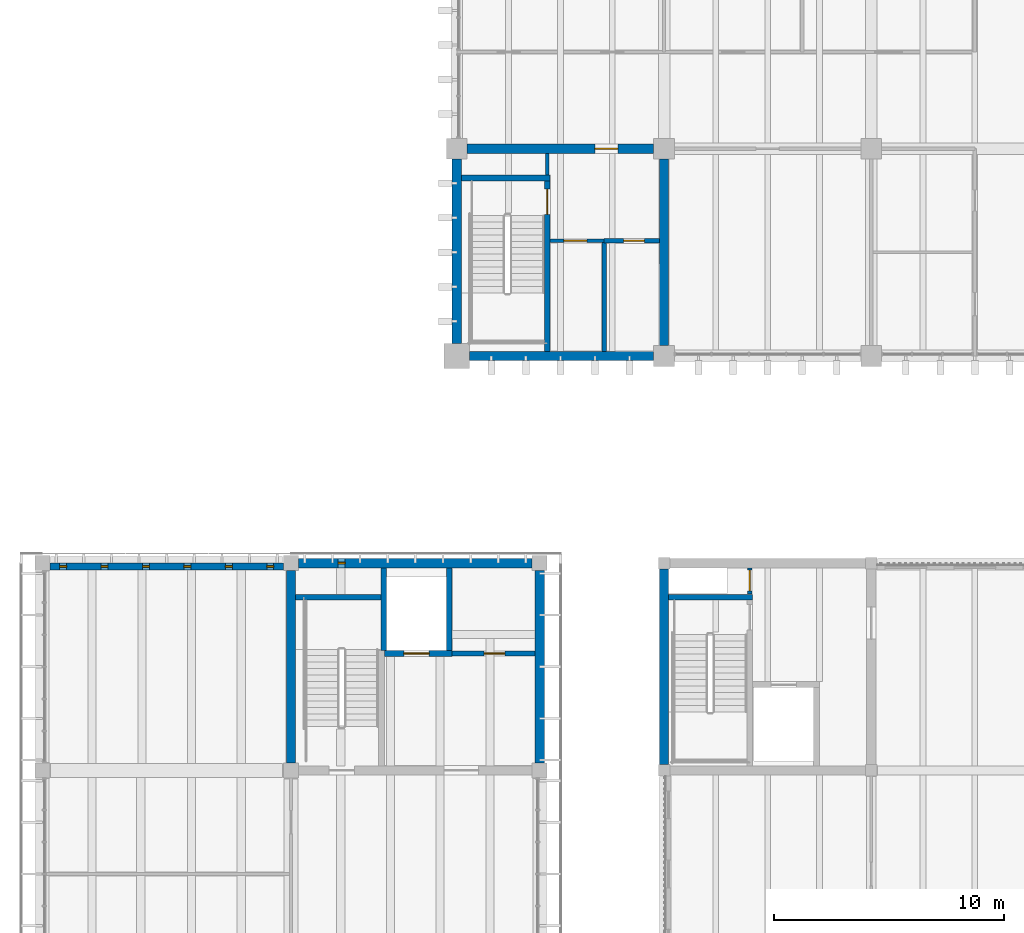
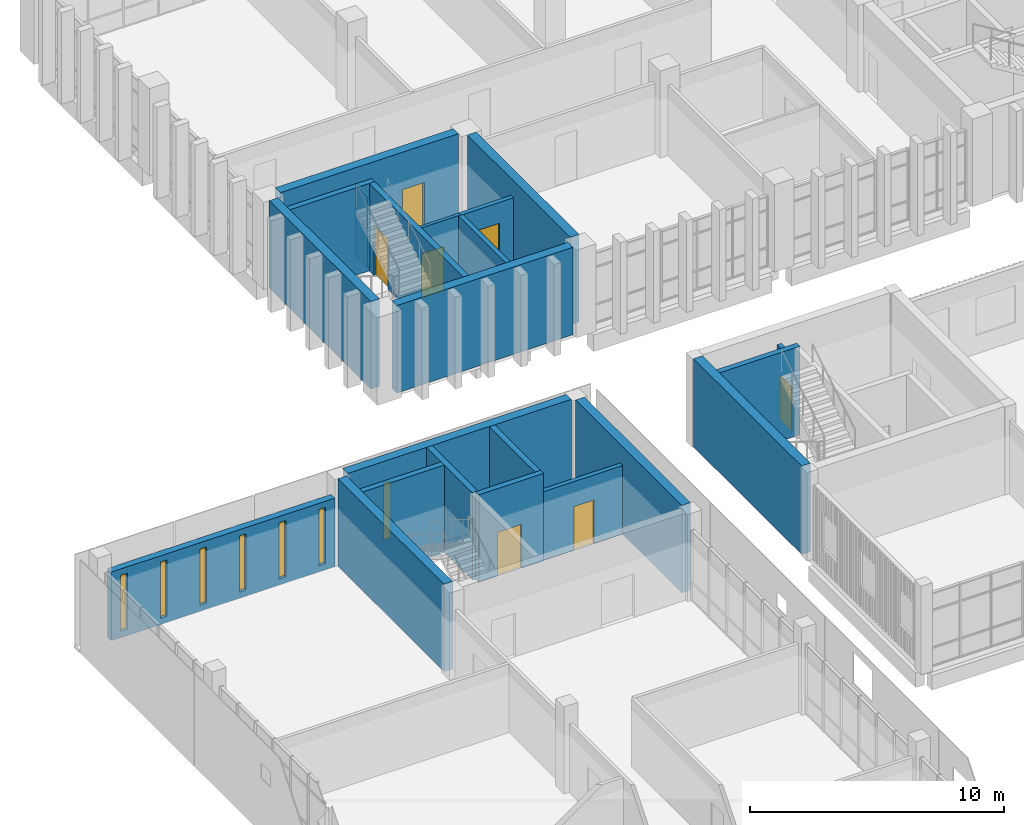
# One storey, part 57 of 92: 22 walls, 7 doors, 7 windows, 14 openings.
"""IFC4 building model written with IfcOpenShell, lengths in metres."""

from ifc_helpers import new_model, si_unit, direction, frame, frame_2d, origin, place, context, subcontext, project, spatial, rectangle, extrude, material, layer, layer_set, type_object, element, fill, save


model = new_model("IFC4")

# Units and contexts
model_context = context("Model", 3, precision=1e-05, world=origin(), true_north=direction((0.0, 1.0)))
body_context = subcontext(model_context, "Body", "Model", "MODEL_VIEW")
ifc_project = project(units=[si_unit("LENGTHUNIT", "METRE"), si_unit("AREAUNIT", "SQUARE_METRE"), si_unit("VOLUMEUNIT", "CUBIC_METRE"), si_unit("PLANEANGLEUNIT", "RADIAN"), si_unit("MASSUNIT", "GRAM", prefix="KILO")], contexts=[model_context])

# Site, building, storey
site_placement = place(None, origin())
site = spatial("IfcSite", under=ifc_project, at=site_placement, CompositionType="ELEMENT")
building_placement = place(site_placement, origin())
building = spatial("IfcBuilding", under=site, at=building_placement, Name="Merrow Basin Faculty of Sciences", CompositionType="ELEMENT")
storey_placement = place(building_placement, frame((0.0, 0.0, 4.5)))
storey = spatial("IfcBuildingStorey", under=building, at=storey_placement, Name="L01", CompositionType="ELEMENT", Elevation=4.5)

# Wall
ifc_material_1 = material(Name="Fire-rated gypsum board")
ifc_layer_1 = layer(ifc_material_1, 0.14990234375)
ifc_layer_set_1 = layer_set([ifc_layer_1], Name="Corridor partition 150 fire-rated board on steel studs")
wall_type_1 = type_object("IfcWallType", Name="Corridor partition 150 fire-rated board on steel studs", PredefinedType="PARTITIONING", material=ifc_layer_set_1)
wall_1_placement = place(storey_placement, frame((21.925048828125, 149.85009765625, 0.0), z_axis=(0.0, 0.0, 1.0), x_axis=(0.0, 1.0, 0.0)))
element("IfcWall", 1, at=wall_1_placement, inside=storey, type_object=wall_type_1, Name="IW151 L01 003", PredefinedType="PARTITIONING", context=body_context, shape_type="SweptSolid", body=[
    extrude(rectangle(XDim=0.949951171875, YDim=0.14990234375, at=frame_2d((0.47509765625, 0.0))), origin(), (0.0, 0.0, 1.0), 3.39990234375),
])

# Wall, opening, door
wall_2_placement = place(storey_placement, frame((22.050048828125, 147.0, 0.0), z_axis=(0.0, 0.0, 1.0), x_axis=(1.0, 0.0, 0.0)))
wall_2 = element("IfcWall", 2, at=wall_2_placement, inside=storey, type_object=wall_type_1, Name="IW151 L01 005", PredefinedType="PARTITIONING", context=body_context, shape_type="SweptSolid", body=[
    extrude(rectangle(XDim=2.349853515625, YDim=0.14990234375, at=frame_2d((1.1748046875, 0.0))), origin(), (0.0, 0.0, 1.0), 3.39990234375),
])
opening_1_placement = place(wall_2_placement, frame((0.60009765625, 0.0, 0.0)))
opening_1 = element("IfcOpeningElement", 3, at=opening_1_placement, cuts=wall_2, Name="Opening D01T006", PredefinedType="OPENING", context=body_context, shape_type="SweptSolid", body=[
    extrude(rectangle(XDim=1.0, YDim=2.10009765625, at=frame_2d((0.5, 1.050048828125))), frame((0.0, 0.0849609375, 0.0), z_axis=(0.0, -1.0, 0.0), x_axis=(1.0, 0.0, 0.0)), (0.0, 0.0, 1.0), 0.169921875),
])
ifc_material_2 = material(Name="Timber door leaf", Category="wood")
door_type_1 = type_object("IfcDoorType", Name="Accessible door 1000 x 2100", OperationType="NOTDEFINED", PredefinedType="DOOR", material=ifc_material_2)
door_1_placement = place(opening_1_placement, origin())
door_1 = element("IfcDoor", 4, at=door_1_placement, inside=storey, type_object=door_type_1, Name="Door D01T006", OperationType="SINGLE_SWING_LEFT", OverallHeight=2.10009765625, OverallWidth=1.0, PredefinedType="DOOR", context=body_context, shape_type="SweptSolid", body=[
    extrude(rectangle(XDim=1.0, YDim=2.10009765625, at=frame_2d((0.5, 1.050048828125))), frame((0.0, 0.02490234375, 0.0), z_axis=(0.0, -1.0, 0.0), x_axis=(1.0, 0.0, 0.0)), (0.0, 0.0, 1.0), 0.050048828125),
])
fill(opening_1, door_1)

# Wall, openings, windows
ifc_material_3 = material(Name="Precast concrete C40/50", Category="concrete")
ifc_layer_2 = layer(ifc_material_3, 0.300048828125)
ifc_layer_set_2 = layer_set([ifc_layer_2], Name="End wall 300 Precast concrete C40/50")
wall_type_2 = type_object("IfcWallType", Name="End wall 300 Precast concrete C40/50", PredefinedType="STANDARD", material=ifc_layer_set_2)
wall_3_placement = place(storey_placement, frame((10.47509765625, 132.85009765625, 0.0), z_axis=(0.0, 0.0, 1.0), x_axis=(-1.0, 0.0, 0.0)))
wall_3 = element("IfcWall", 5, at=wall_3_placement, inside=storey, type_object=wall_type_2, Name="North end wall 1", PredefinedType="STANDARD", context=body_context, shape_type="SweptSolid", body=[
    extrude(rectangle(XDim=10.150146484375, YDim=0.300048828125, at=frame_2d((5.0751953125, 0.0))), origin(), (0.0, 0.0, 1.0), 3.300048828125),
])
opening_2_placement = place(wall_3_placement, frame((9.425048828125, 0.0, 0.300048828125)))
opening_2 = element("IfcOpeningElement", 6, at=opening_2_placement, cuts=wall_3, Name="Opening WN1", PredefinedType="OPENING", context=body_context, shape_type="SweptSolid", body=[
    extrude(rectangle(XDim=0.300048828125, YDim=2.699951171875, at=frame_2d((0.14990234375, 1.35009765625))), frame((0.0, 0.159912109375, 0.0), z_axis=(0.0, -1.0, 0.0), x_axis=(1.0, 0.0, 0.0)), (0.0, 0.0, 1.0), 0.320068359375),
])
opening_3_placement = place(wall_3_placement, frame((7.625, 0.0, 0.300048828125)))
opening_3 = element("IfcOpeningElement", 7, at=opening_3_placement, cuts=wall_3, Name="Opening WN1", PredefinedType="OPENING", context=body_context, shape_type="SweptSolid", body=[
    extrude(rectangle(XDim=0.300048828125, YDim=2.699951171875, at=frame_2d((0.14990234375, 1.35009765625))), frame((0.0, 0.159912109375, 0.0), z_axis=(0.0, -1.0, 0.0), x_axis=(1.0, 0.0, 0.0)), (0.0, 0.0, 1.0), 0.320068359375),
])
opening_4_placement = place(wall_3_placement, frame((5.824951171875, 0.0, 0.300048828125)))
opening_4 = element("IfcOpeningElement", 8, at=opening_4_placement, cuts=wall_3, Name="Opening WN1", PredefinedType="OPENING", context=body_context, shape_type="SweptSolid", body=[
    extrude(rectangle(XDim=0.300048828125, YDim=2.699951171875, at=frame_2d((0.14990234375, 1.35009765625))), frame((0.0, 0.159912109375, 0.0), z_axis=(0.0, -1.0, 0.0), x_axis=(1.0, 0.0, 0.0)), (0.0, 0.0, 1.0), 0.320068359375),
])
opening_5_placement = place(wall_3_placement, frame((4.02490234375, 0.0, 0.300048828125)))
opening_5 = element("IfcOpeningElement", 9, at=opening_5_placement, cuts=wall_3, Name="Opening WN1", PredefinedType="OPENING", context=body_context, shape_type="SweptSolid", body=[
    extrude(rectangle(XDim=0.300048828125, YDim=2.699951171875, at=frame_2d((0.14990234375, 1.35009765625))), frame((0.0, 0.159912109375, 0.0), z_axis=(0.0, -1.0, 0.0), x_axis=(1.0, 0.0, 0.0)), (0.0, 0.0, 1.0), 0.320068359375),
])
opening_6_placement = place(wall_3_placement, frame((2.22509765625, 0.0, 0.300048828125)))
opening_6 = element("IfcOpeningElement", 10, at=opening_6_placement, cuts=wall_3, Name="Opening WN1", PredefinedType="OPENING", context=body_context, shape_type="SweptSolid", body=[
    extrude(rectangle(XDim=0.300048828125, YDim=2.699951171875, at=frame_2d((0.14990234375, 1.35009765625))), frame((0.0, 0.159912109375, 0.0), z_axis=(0.0, -1.0, 0.0), x_axis=(1.0, 0.0, 0.0)), (0.0, 0.0, 1.0), 0.320068359375),
])
opening_7_placement = place(wall_3_placement, frame((0.425048828125, 0.0, 0.300048828125)))
opening_7 = element("IfcOpeningElement", 11, at=opening_7_placement, cuts=wall_3, Name="Opening WN1", PredefinedType="OPENING", context=body_context, shape_type="SweptSolid", body=[
    extrude(rectangle(XDim=0.300048828125, YDim=2.699951171875, at=frame_2d((0.14990234375, 1.35009765625))), frame((0.0, 0.159912109375, 0.0), z_axis=(0.0, -1.0, 0.0), x_axis=(1.0, 0.0, 0.0)), (0.0, 0.0, 1.0), 0.320068359375),
])
ifc_material_4 = material(Name="Low-E double glazing", Category="glass")
window_type = type_object("IfcWindowType", Name="Slot window 300 x 2700", PartitioningType="SINGLE_PANEL", PredefinedType="WINDOW", material=ifc_material_4)
window_1_placement = place(opening_2_placement, origin())
window_1 = element("IfcWindow", 12, at=window_1_placement, inside=storey, type_object=window_type, Name="North slot window L01", OverallHeight=2.699951171875, OverallWidth=0.300048828125, PartitioningType="SINGLE_PANEL", PredefinedType="WINDOW", context=body_context, shape_type="SweptSolid", body=[
    extrude(rectangle(XDim=0.300048828125, YDim=2.699951171875, at=frame_2d((0.14990234375, 1.35009765625))), frame((0.0, 0.030029296875, 0.0), z_axis=(0.0, -1.0, 0.0), x_axis=(1.0, 0.0, 0.0)), (0.0, 0.0, 1.0), 0.06005859375),
])
fill(opening_2, window_1)
window_2_placement = place(opening_3_placement, origin())
window_2 = element("IfcWindow", 13, at=window_2_placement, inside=storey, type_object=window_type, Name="North slot window L01", OverallHeight=2.699951171875, OverallWidth=0.300048828125, PartitioningType="SINGLE_PANEL", PredefinedType="WINDOW", context=body_context, shape_type="SweptSolid", body=[
    extrude(rectangle(XDim=0.300048828125, YDim=2.699951171875, at=frame_2d((0.14990234375, 1.35009765625))), frame((0.0, 0.030029296875, 0.0), z_axis=(0.0, -1.0, 0.0), x_axis=(1.0, 0.0, 0.0)), (0.0, 0.0, 1.0), 0.06005859375),
])
fill(opening_3, window_2)
window_3_placement = place(opening_4_placement, origin())
window_3 = element("IfcWindow", 14, at=window_3_placement, inside=storey, type_object=window_type, Name="North slot window L01", OverallHeight=2.699951171875, OverallWidth=0.300048828125, PartitioningType="SINGLE_PANEL", PredefinedType="WINDOW", context=body_context, shape_type="SweptSolid", body=[
    extrude(rectangle(XDim=0.300048828125, YDim=2.699951171875, at=frame_2d((0.14990234375, 1.35009765625))), frame((0.0, 0.030029296875, 0.0), z_axis=(0.0, -1.0, 0.0), x_axis=(1.0, 0.0, 0.0)), (0.0, 0.0, 1.0), 0.06005859375),
])
fill(opening_4, window_3)
window_4_placement = place(opening_5_placement, origin())
window_4 = element("IfcWindow", 15, at=window_4_placement, inside=storey, type_object=window_type, Name="North slot window L01", OverallHeight=2.699951171875, OverallWidth=0.300048828125, PartitioningType="SINGLE_PANEL", PredefinedType="WINDOW", context=body_context, shape_type="SweptSolid", body=[
    extrude(rectangle(XDim=0.300048828125, YDim=2.699951171875, at=frame_2d((0.14990234375, 1.35009765625))), frame((0.0, 0.030029296875, 0.0), z_axis=(0.0, -1.0, 0.0), x_axis=(1.0, 0.0, 0.0)), (0.0, 0.0, 1.0), 0.06005859375),
])
fill(opening_5, window_4)
window_5_placement = place(opening_6_placement, origin())
window_5 = element("IfcWindow", 16, at=window_5_placement, inside=storey, type_object=window_type, Name="North slot window L01", OverallHeight=2.699951171875, OverallWidth=0.300048828125, PartitioningType="SINGLE_PANEL", PredefinedType="WINDOW", context=body_context, shape_type="SweptSolid", body=[
    extrude(rectangle(XDim=0.300048828125, YDim=2.699951171875, at=frame_2d((0.14990234375, 1.35009765625))), frame((0.0, 0.030029296875, 0.0), z_axis=(0.0, -1.0, 0.0), x_axis=(1.0, 0.0, 0.0)), (0.0, 0.0, 1.0), 0.06005859375),
])
fill(opening_6, window_5)
window_6_placement = place(opening_7_placement, origin())
window_6 = element("IfcWindow", 17, at=window_6_placement, inside=storey, type_object=window_type, Name="North slot window L01", OverallHeight=2.699951171875, OverallWidth=0.300048828125, PartitioningType="SINGLE_PANEL", PredefinedType="WINDOW", context=body_context, shape_type="SweptSolid", body=[
    extrude(rectangle(XDim=0.300048828125, YDim=2.699951171875, at=frame_2d((0.14990234375, 1.35009765625))), frame((0.0, 0.030029296875, 0.0), z_axis=(0.0, -1.0, 0.0), x_axis=(1.0, 0.0, 0.0)), (0.0, 0.0, 1.0), 0.06005859375),
])
fill(opening_7, window_6)

# Wall, opening, door
ifc_material_5 = material(Name="Fire-rated gypsum board")
ifc_layer_3 = layer(ifc_material_5, 0.199951171875)
ifc_layer_set_3 = layer_set([ifc_layer_3], Name="Riser lining 200 fire-rated board on steel studs")
wall_type_3 = type_object("IfcWallType", Name="Riser lining 200 fire-rated board on steel studs", PredefinedType="PARTITIONING", material=ifc_layer_set_3)
wall_4_placement = place(storey_placement, frame((17.800048828125, 129.074951171875, 0.0), z_axis=(0.0, 0.0, 1.0), x_axis=(1.0, 0.0, 0.0)))
wall_4 = element("IfcWall", 18, at=wall_4_placement, inside=storey, type_object=wall_type_3, Name="IW200 L01 005", PredefinedType="PARTITIONING", context=body_context, shape_type="SweptSolid", body=[
    extrude(rectangle(XDim=3.599853515625, YDim=0.199951171875, at=frame_2d((1.7998046875, 0.0))), origin(), (0.0, 0.0, 1.0), 3.300048828125),
])
opening_8_placement = place(wall_4_placement, frame((1.387939453125, 0.0, 0.0)))
opening_8 = element("IfcOpeningElement", 19, at=opening_8_placement, cuts=wall_4, Name="Opening D01B011", PredefinedType="OPENING", context=body_context, shape_type="SweptSolid", body=[
    extrude(rectangle(XDim=0.89990234375, YDim=2.10009765625, at=frame_2d((0.449951171875, 1.050048828125))), frame((0.0, 0.10986328125, 0.0), z_axis=(0.0, -1.0, 0.0), x_axis=(1.0, 0.0, 0.0)), (0.0, 0.0, 1.0), 0.219970703125),
])
ifc_material_6 = material(Name="Fire-rated steel door", Category="steel")
door_type_2 = type_object("IfcDoorType", Name="Fire door FD60 900 x 2100", OperationType="NOTDEFINED", PredefinedType="DOOR", material=ifc_material_6)
door_2_placement = place(opening_8_placement, origin())
door_2 = element("IfcDoor", 20, at=door_2_placement, inside=storey, type_object=door_type_2, Name="Door D01B011", OperationType="SINGLE_SWING_RIGHT", OverallHeight=2.10009765625, OverallWidth=0.89990234375, PredefinedType="DOOR", context=body_context, shape_type="SweptSolid", body=[
    extrude(rectangle(XDim=0.89990234375, YDim=2.10009765625, at=frame_2d((0.449951171875, 1.050048828125))), frame((0.0, 0.02490234375, 0.0), z_axis=(0.0, -1.0, 0.0), x_axis=(1.0, 0.0, 0.0)), (0.0, 0.0, 1.0), 0.050048828125),
])
fill(opening_8, door_2)

# Wall
wall_5_placement = place(storey_placement, frame((24.39990234375, 142.199951171875, 0.0), z_axis=(0.0, 0.0, 1.0), x_axis=(0.0, 1.0, 0.0)))
element("IfcWall", 21, at=wall_5_placement, inside=storey, type_object=wall_type_3, Name="IW200 L01 001", PredefinedType="PARTITIONING", context=body_context, shape_type="SweptSolid", body=[
    extrude(rectangle(XDim=4.800048828125, YDim=0.199951171875, at=frame_2d((2.39990234375, 0.0))), origin(), (0.0, 0.0, 1.0), 3.39990234375),
])

# Wall, opening, door
wall_6_placement = place(storey_placement, frame((24.39990234375, 147.0, 0.0), z_axis=(0.0, 0.0, 1.0), x_axis=(1.0, 0.0, 0.0)))
wall_6 = element("IfcWall", 22, at=wall_6_placement, inside=storey, type_object=wall_type_3, Name="IW200 L01 002", PredefinedType="PARTITIONING", context=body_context, shape_type="SweptSolid", body=[
    extrude(rectangle(XDim=2.400146484375, YDim=0.199951171875, at=frame_2d((1.2001953125, 0.0))), origin(), (0.0, 0.0, 1.0), 3.39990234375),
])
opening_9_placement = place(wall_6_placement, frame((0.85009765625, 0.0, 0.0)))
opening_9 = element("IfcOpeningElement", 23, at=opening_9_placement, cuts=wall_6, Name="Opening D01T007", PredefinedType="OPENING", context=body_context, shape_type="SweptSolid", body=[
    extrude(rectangle(XDim=0.89990234375, YDim=2.39990234375, at=frame_2d((0.449951171875, 1.199951171875))), frame((0.0, 0.10986328125, 0.0), z_axis=(0.0, -1.0, 0.0), x_axis=(1.0, 0.0, 0.0)), (0.0, 0.0, 1.0), 0.219970703125),
])
ifc_material_7 = material(Name="Fire-rated steel door", Category="steel")
door_type_3 = type_object("IfcDoorType", Name="Fire door FD60 900 x 2400", OperationType="NOTDEFINED", PredefinedType="DOOR", material=ifc_material_7)
door_3_placement = place(opening_9_placement, origin())
door_3 = element("IfcDoor", 24, at=door_3_placement, inside=storey, type_object=door_type_3, Name="Door D01T007", OperationType="SINGLE_SWING_RIGHT", OverallHeight=2.39990234375, OverallWidth=0.89990234375, PredefinedType="DOOR", context=body_context, shape_type="SweptSolid", body=[
    extrude(rectangle(XDim=0.89990234375, YDim=2.39990234375, at=frame_2d((0.449951171875, 1.199951171875))), frame((0.0, 0.02490234375, 0.0), z_axis=(0.0, -1.0, 0.0), x_axis=(1.0, 0.0, 0.0)), (0.0, 0.0, 1.0), 0.050048828125),
])
fill(opening_9, door_3)

wall_7_placement = place(storey_placement, frame((30.72509765625, 131.64990234375, 0.0), z_axis=(0.0, 0.0, 1.0), x_axis=(0.0, 1.0, 0.0)))
wall_7 = element("IfcWall", 25, at=wall_7_placement, inside=storey, type_object=wall_type_3, Name="IW200 L01 001", PredefinedType="PARTITIONING", context=body_context, shape_type="SweptSolid", body=[
    extrude(rectangle(XDim=1.150146484375, YDim=0.199951171875, at=frame_2d((0.5751953125, 0.0))), origin(), (0.0, 0.0, 1.0), 3.550048828125),
])
opening_10_placement = place(wall_7_placement, frame((0.14990234375, 0.0, 0.0)))
opening_10 = element("IfcOpeningElement", 26, at=opening_10_placement, cuts=wall_7, Name="Opening D01C012", PredefinedType="OPENING", context=body_context, shape_type="SweptSolid", body=[
    extrude(rectangle(XDim=0.89990234375, YDim=2.10009765625, at=frame_2d((0.449951171875, 1.050048828125))), frame((0.0, 0.10986328125, 0.0), z_axis=(0.0, -1.0, 0.0), x_axis=(1.0, 0.0, 0.0)), (0.0, 0.0, 1.0), 0.219970703125),
])
door_4_placement = place(opening_10_placement, origin())
door_4 = element("IfcDoor", 27, at=door_4_placement, inside=storey, type_object=door_type_2, Name="Door D01C012", OperationType="SINGLE_SWING_LEFT", OverallHeight=2.10009765625, OverallWidth=0.89990234375, PredefinedType="DOOR", context=body_context, shape_type="SweptSolid", body=[
    extrude(rectangle(XDim=0.89990234375, YDim=2.10009765625, at=frame_2d((0.449951171875, 1.050048828125))), frame((0.0, 0.02490234375, 0.0), z_axis=(0.0, -1.0, 0.0), x_axis=(1.0, 0.0, 0.0)), (0.0, 0.0, 1.0), 0.050048828125),
])
fill(opening_10, door_4)

# Wall
ifc_material_8 = material(Name="Concrete C40/50", Category="concrete")
ifc_layer_4 = layer(ifc_material_8, 0.25)
ifc_layer_set_4 = layer_set([ifc_layer_4], Name="Shear wall 250 Concrete C40/50")
wall_type_4 = type_object("IfcWallType", Name="Shear wall 250 Concrete C40/50", PredefinedType="SHEAR", material=ifc_layer_set_4)
wall_8_placement = place(storey_placement, frame((11.0, 131.52490234375, 0.0), z_axis=(0.0, 0.0, 1.0), x_axis=(1.0, 0.0, 0.0)))
element("IfcWall", 28, at=wall_8_placement, inside=storey, type_object=wall_type_4, Name="SW2 L01 019", PredefinedType="SHEAR", context=body_context, shape_type="SweptSolid", body=[
    extrude(rectangle(XDim=3.85009765625, YDim=0.25, at=frame_2d((1.925048828125, 0.0))), origin(), (0.0, 0.0, 1.0), 4.199951171875),
])

# Wall, opening, door
wall_9_placement = place(storey_placement, frame((14.85009765625, 129.074951171875, 0.0), z_axis=(0.0, 0.0, 1.0), x_axis=(1.0, 0.0, 0.0)))
wall_9 = element("IfcWall", 29, at=wall_9_placement, inside=storey, type_object=wall_type_4, Name="SW2 L01 021", PredefinedType="SHEAR", context=body_context, shape_type="SweptSolid", body=[
    extrude(rectangle(XDim=2.949951171875, YDim=0.25, at=frame_2d((1.47509765625, 0.0))), origin(), (0.0, 0.0, 1.0), 4.199951171875),
])
opening_11_placement = place(wall_9_placement, frame((0.85009765625, 0.0, 0.0)))
opening_11 = element("IfcOpeningElement", 30, at=opening_11_placement, cuts=wall_9, Name="Opening LD01B02", PredefinedType="OPENING", context=body_context, shape_type="SweptSolid", body=[
    extrude(rectangle(XDim=1.10009765625, YDim=2.10009765625, at=frame_2d((0.550048828125, 1.050048828125))), frame((0.0, 0.135009765625, 0.0), z_axis=(0.0, -1.0, 0.0), x_axis=(1.0, 0.0, 0.0)), (0.0, 0.0, 1.0), 0.27001953125),
])
ifc_material_9 = material(Name="Stainless steel sliding door", Category="steel")
door_type_4 = type_object("IfcDoorType", Name="Lift landing door 1100 x 2100 sliding", OperationType="NOTDEFINED", PredefinedType="DOOR", material=ifc_material_9)
door_5_placement = place(opening_11_placement, origin())
door_5 = element("IfcDoor", 31, at=door_5_placement, inside=storey, type_object=door_type_4, Name="Landing door LF2 L01", OperationType="SLIDING_TO_LEFT", OverallHeight=2.10009765625, OverallWidth=1.10009765625, PredefinedType="DOOR", context=body_context, shape_type="SweptSolid", body=[
    extrude(rectangle(XDim=1.10009765625, YDim=2.10009765625, at=frame_2d((0.550048828125, 1.050048828125))), frame((0.0, 0.02490234375, 0.0), z_axis=(0.0, -1.0, 0.0), x_axis=(1.0, 0.0, 0.0)), (0.0, 0.0, 1.0), 0.050048828125),
])
fill(opening_11, door_5)

# Walls
for number, where, z_axis, x_axis, name in (
    (32, (14.824951171875, 129.199951171875, 0.0), (0.0, 0.0, 1.0), (0.0, 1.0, 0.0), "SW2 L01 022"),
    (33, (17.675048828125, 129.199951171875, 0.0), (0.0, 0.0, 1.0), (0.0, 1.0, 0.0), "SW2 L01 023"),
):
    element("IfcWall", number, at=place(storey_placement, frame(where, z_axis=z_axis, x_axis=x_axis)), inside=storey, type_object=wall_type_4, Name=name, PredefinedType="SHEAR", context=body_context, shape_type="SweptSolid", body=[
        extrude(rectangle(XDim=3.60009765625, YDim=0.25, at=frame_2d((1.800048828125, 0.0))), origin(), (0.0, 0.0, 1.0), 4.199951171875),
    ])
wall_10_placement = place(storey_placement, frame((27.199951171875, 131.52490234375, 0.0), z_axis=(0.0, 0.0, 1.0), x_axis=(1.0, 0.0, 0.0)))
element("IfcWall", 34, at=wall_10_placement, inside=storey, type_object=wall_type_4, Name="SW2 L01 005", PredefinedType="SHEAR", context=body_context, shape_type="SweptSolid", body=[
    extrude(rectangle(XDim=3.650146484375, YDim=0.25, at=frame_2d((1.8251953125, 0.0))), origin(), (0.0, 0.0, 1.0), 4.25),
])
ifc_material_10 = material(Name="Concrete C50/60", Category="concrete")
ifc_layer_5 = layer(ifc_material_10, 0.25)
ifc_layer_set_5 = layer_set([ifc_layer_5], Name="Shear wall 250 Concrete C50/60")
wall_type_5 = type_object("IfcWallType", Name="Shear wall 250 Concrete C50/60", PredefinedType="SHEAR", material=ifc_layer_set_5)
wall_11_placement = place(storey_placement, frame((18.199951171875, 149.72509765625, 0.0), z_axis=(0.0, 0.0, 1.0), x_axis=(1.0, 0.0, 0.0)))
element("IfcWall", 35, at=wall_11_placement, inside=storey, type_object=wall_type_5, Name="SW4 L01 029", PredefinedType="SHEAR", context=body_context, shape_type="SweptSolid", body=[
    extrude(rectangle(XDim=3.85009765625, YDim=0.25, at=frame_2d((1.925048828125, 0.0))), origin(), (0.0, 0.0, 1.0), 4.199951171875),
])

# Wall, opening, door
wall_12_placement = place(storey_placement, frame((21.925048828125, 142.199951171875, 0.0), z_axis=(0.0, 0.0, 1.0), x_axis=(0.0, 1.0, 0.0)))
wall_12 = element("IfcWall", 36, at=wall_12_placement, inside=storey, type_object=wall_type_5, Name="SW4 L01 030", PredefinedType="SHEAR", context=body_context, shape_type="SweptSolid", body=[
    extrude(rectangle(XDim=7.400146484375, YDim=0.25, at=frame_2d((3.7001953125, 0.0))), origin(), (0.0, 0.0, 1.0), 4.199951171875),
])
opening_12_placement = place(wall_12_placement, frame((5.949951171875, 0.0, 0.0)))
opening_12 = element("IfcOpeningElement", 37, at=opening_12_placement, cuts=wall_12, Name="Opening D01T004", PredefinedType="OPENING", context=body_context, shape_type="SweptSolid", body=[
    extrude(rectangle(XDim=1.10009765625, YDim=2.39990234375, at=frame_2d((0.550048828125, 1.199951171875))), frame((0.0, 0.135009765625, 0.0), z_axis=(0.0, -1.0, 0.0), x_axis=(1.0, 0.0, 0.0)), (0.0, 0.0, 1.0), 0.27001953125),
])
ifc_material_11 = material(Name="Fire-rated steel door", Category="steel")
door_type_5 = type_object("IfcDoorType", Name="Fire door FD90 1100 x 2400", OperationType="NOTDEFINED", PredefinedType="DOOR", material=ifc_material_11)
door_6_placement = place(opening_12_placement, origin())
door_6 = element("IfcDoor", 38, at=door_6_placement, inside=storey, type_object=door_type_5, Name="Door D01T004", OperationType="SINGLE_SWING_RIGHT", OverallHeight=2.39990234375, OverallWidth=1.10009765625, PredefinedType="DOOR", context=body_context, shape_type="SweptSolid", body=[
    extrude(rectangle(XDim=1.10009765625, YDim=2.39990234375, at=frame_2d((0.550048828125, 1.199951171875))), frame((0.0, 0.02490234375, 0.0), z_axis=(0.0, -1.0, 0.0), x_axis=(1.0, 0.0, 0.0)), (0.0, 0.0, 1.0), 0.050048828125),
])
fill(opening_12, door_6)

# Wall, opening, window
ifc_material_12 = material(Name="Concrete C40/50", Category="concrete")
ifc_layer_6 = layer(ifc_material_12, 0.39990234375)
ifc_layer_set_6 = layer_set([ifc_layer_6], Name="Shear wall 400 Concrete C40/50")
wall_type_6 = type_object("IfcWallType", Name="Shear wall 400 Concrete C40/50", PredefinedType="SHEAR", material=ifc_layer_set_6)
wall_13_placement = place(storey_placement, frame((11.125, 133.0, 0.0), z_axis=(0.0, 0.0, 1.0), x_axis=(1.0, 0.0, 0.0)))
wall_13 = element("IfcWall", 39, at=wall_13_placement, inside=storey, type_object=wall_type_6, Name="SW1 L01 016", PredefinedType="SHEAR", context=body_context, shape_type="SweptSolid", body=[
    extrude(rectangle(XDim=10.14990234375, YDim=0.39990234375, at=frame_2d((5.074951171875, 0.0))), origin(), (0.0, 0.0, 1.0), 4.199951171875),
])
opening_13_placement = place(wall_13_placement, frame((1.72509765625, 0.0, 0.300048828125)))
opening_13 = element("IfcOpeningElement", 40, at=opening_13_placement, cuts=wall_13, Name="Opening WN1", PredefinedType="OPENING", context=body_context, shape_type="SweptSolid", body=[
    extrude(rectangle(XDim=0.300048828125, YDim=2.699951171875, at=frame_2d((0.14990234375, 1.35009765625))), frame((0.0, 0.2099609375, 0.0), z_axis=(0.0, -1.0, 0.0), x_axis=(1.0, 0.0, 0.0)), (0.0, 0.0, 1.0), 0.419921875),
])
window_7_placement = place(opening_13_placement, origin())
window_7 = element("IfcWindow", 41, at=window_7_placement, inside=storey, type_object=window_type, Name="Stair slot window C-V4-N L01", OverallHeight=2.699951171875, OverallWidth=0.300048828125, PartitioningType="SINGLE_PANEL", PredefinedType="WINDOW", context=body_context, shape_type="SweptSolid", body=[
    extrude(rectangle(XDim=0.300048828125, YDim=2.699951171875, at=frame_2d((0.14990234375, 1.35009765625))), frame((0.0, 0.030029296875, 0.0), z_axis=(0.0, -1.0, 0.0), x_axis=(1.0, 0.0, 0.0)), (0.0, 0.0, 1.0), 0.06005859375),
])
fill(opening_13, window_7)

# Walls
for number, where, z_axis, x_axis, name in (
    (42, (10.800048828125, 124.324951171875, 0.0), (0.0, 0.0, 1.0), (0.0, 1.0, 0.0), "SW1 L01 017"),
    (43, (21.60009765625, 124.324951171875, 0.0), (0.0, 0.0, 1.0), (0.0, 1.0, 0.0), "SW1 L01 018"),
):
    element("IfcWall", number, at=place(storey_placement, frame(where, z_axis=z_axis, x_axis=x_axis)), inside=storey, type_object=wall_type_6, Name=name, PredefinedType="SHEAR", context=body_context, shape_type="SweptSolid", body=[
        extrude(rectangle(XDim=8.35009765625, YDim=0.39990234375, at=frame_2d((4.175048828125, 0.0))), origin(), (0.0, 0.0, 1.0), 4.199951171875),
    ])
wall_14_placement = place(storey_placement, frame((27.0, 124.25, 0.0), z_axis=(0.0, 0.0, 1.0), x_axis=(0.0, 1.0, 0.0)))
element("IfcWall", 44, at=wall_14_placement, inside=storey, type_object=wall_type_6, Name="SW1 L01 003", PredefinedType="SHEAR", context=body_context, shape_type="SweptSolid", body=[
    extrude(rectangle(XDim=8.5, YDim=0.39990234375, at=frame_2d((4.25, 0.0))), origin(), (0.0, 0.0, 1.0), 4.25),
])
ifc_material_13 = material(Name="Concrete C50/60", Category="concrete")
ifc_layer_7 = layer(ifc_material_13, 0.39990234375)
ifc_layer_set_7 = layer_set([ifc_layer_7], Name="Shear wall 400 Concrete C50/60")
wall_type_7 = type_object("IfcWallType", Name="Shear wall 400 Concrete C50/60", PredefinedType="SHEAR", material=ifc_layer_set_7)
wall_15_placement = place(storey_placement, frame((18.550048828125, 142.0, 0.0), z_axis=(0.0, 0.0, 1.0), x_axis=(1.0, 0.0, 0.0)))
element("IfcWall", 45, at=wall_15_placement, inside=storey, type_object=wall_type_7, Name="SW3 L01 025", PredefinedType="SHEAR", context=body_context, shape_type="SweptSolid", body=[
    extrude(rectangle(XDim=8.0, YDim=0.39990234375, at=frame_2d((4.0, 0.0))), origin(), (0.0, 0.0, 1.0), 4.199951171875),
])

# Wall, opening, door
wall_16_placement = place(storey_placement, frame((18.449951171875, 151.0, 0.0), z_axis=(0.0, 0.0, 1.0), x_axis=(1.0, 0.0, 0.0)))
wall_16 = element("IfcWall", 46, at=wall_16_placement, inside=storey, type_object=wall_type_7, Name="SW3 L01 026", PredefinedType="SHEAR", context=body_context, shape_type="SweptSolid", body=[
    extrude(rectangle(XDim=8.10009765625, YDim=0.39990234375, at=frame_2d((4.050048828125, 0.0))), origin(), (0.0, 0.0, 1.0), 4.199951171875),
])
opening_14_placement = place(wall_16_placement, frame((5.550048828125, 0.0, 0.0)))
opening_14 = element("IfcOpeningElement", 47, at=opening_14_placement, cuts=wall_16, Name="Opening D01T005", PredefinedType="OPENING", context=body_context, shape_type="SweptSolid", body=[
    extrude(rectangle(XDim=1.0, YDim=2.39990234375, at=frame_2d((0.5, 1.199951171875))), frame((0.0, 0.2099609375, 0.0), z_axis=(0.0, -1.0, 0.0), x_axis=(1.0, 0.0, 0.0)), (0.0, 0.0, 1.0), 0.419921875),
])
ifc_material_14 = material(Name="Fire-rated steel door", Category="steel")
door_type_6 = type_object("IfcDoorType", Name="Fire door FD60 1000 x 2400", OperationType="NOTDEFINED", PredefinedType="DOOR", material=ifc_material_14)
door_7_placement = place(opening_14_placement, origin())
door_7 = element("IfcDoor", 48, at=door_7_placement, inside=storey, type_object=door_type_6, Name="Door D01T005", OperationType="SINGLE_SWING_RIGHT", OverallHeight=2.39990234375, OverallWidth=1.0, PredefinedType="DOOR", context=body_context, shape_type="SweptSolid", body=[
    extrude(rectangle(XDim=1.0, YDim=2.39990234375, at=frame_2d((0.5, 1.199951171875))), frame((0.0, 0.02490234375, 0.0), z_axis=(0.0, -1.0, 0.0), x_axis=(1.0, 0.0, 0.0)), (0.0, 0.0, 1.0), 0.050048828125),
])
fill(opening_14, door_7)

# Walls
wall_17_placement = place(storey_placement, frame((18.0, 142.550048828125, 0.0), z_axis=(0.0, 0.0, 1.0), x_axis=(0.0, 1.0, 0.0)))
element("IfcWall", 49, at=wall_17_placement, inside=storey, type_object=wall_type_7, Name="SW3 L01 027", PredefinedType="SHEAR", context=body_context, shape_type="SweptSolid", body=[
    extrude(rectangle(XDim=8.0, YDim=0.39990234375, at=frame_2d((4.0, 0.0))), origin(), (0.0, 0.0, 1.0), 4.199951171875),
])
wall_18_placement = place(storey_placement, frame((27.0, 142.449951171875, 0.0), z_axis=(0.0, 0.0, 1.0), x_axis=(0.0, 1.0, 0.0)))
element("IfcWall", 50, at=wall_18_placement, inside=storey, type_object=wall_type_7, Name="SW3 L01 028", PredefinedType="SHEAR", context=body_context, shape_type="SweptSolid", body=[
    extrude(rectangle(XDim=8.10009765625, YDim=0.39990234375, at=frame_2d((4.050048828125, 0.0))), origin(), (0.0, 0.0, 1.0), 4.199951171875),
])

save(model, "model.ifc")
